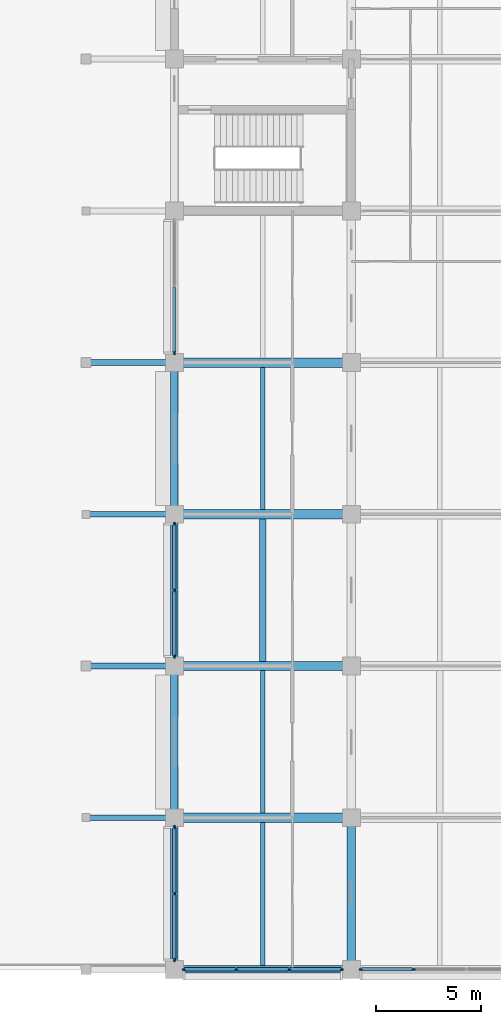
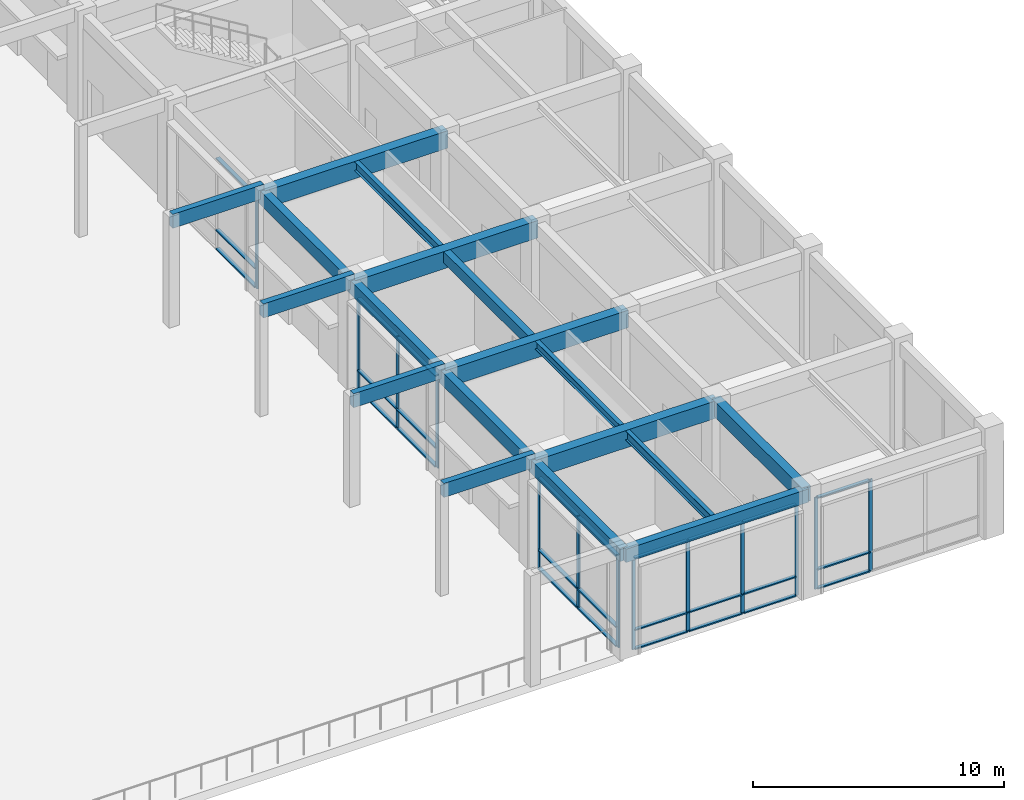
# One storey, part 24 of 73: 40 members, 18 beams, 5 elements without a shape of their own.
"""IFC4 building model written with IfcOpenShell, lengths in metres."""

from ifc_helpers import new_model, si_unit, direction, frame, origin, origin_2d, place, context, subcontext, project, spatial, rectangle, i_section, extrude, material, layer, layer_set, material_profile, profile_set, type_object, element, aggregate, save


model = new_model("IFC4")

# Units and contexts
model_context = context("Model", 3, precision=1e-05, world=origin(), true_north=direction((0.0, 1.0)))
body_context = subcontext(model_context, "Body", "Model", "MODEL_VIEW")
ifc_project = project(units=[si_unit("LENGTHUNIT", "METRE"), si_unit("AREAUNIT", "SQUARE_METRE"), si_unit("VOLUMEUNIT", "CUBIC_METRE"), si_unit("PLANEANGLEUNIT", "RADIAN"), si_unit("MASSUNIT", "GRAM", prefix="KILO")], contexts=[model_context])

# Site, building, storey
site_placement = place(None, origin())
site = spatial("IfcSite", under=ifc_project, at=site_placement, CompositionType="ELEMENT")
building_placement = place(site_placement, origin())
building = spatial("IfcBuilding", under=site, at=building_placement, Name="Chengyuan Square Courthouse", CompositionType="ELEMENT")
storey_placement = place(building_placement, origin())
storey = spatial("IfcBuildingStorey", under=building, at=storey_placement, Name="L01", CompositionType="ELEMENT", Elevation=0.0)

# Beams
ifc_material_1 = material(Name="Concrete C40", Category="concrete")
ifc_material_profile_1 = material_profile(ifc_material_1, rectangle(XDim=0.449951171875, YDim=0.85009765625, at=origin_2d()), Name="RC-BM-450x850")
ifc_profile_set_1 = profile_set([ifc_material_profile_1], Name="Concrete C40")
beam_type_1 = type_object("IfcBeamType", Name="BM-01", PredefinedType="USERDEFINED", material=ifc_profile_set_1)
for number, where, z_axis, x_axis, name in (
    (1, (151.199951171875, 7.199951171875, 4.695068359375), (1.0, 0.0, 0.0), (0.0, 1.0, 0.0), "Girder BM-L01-1647"),
    (2, (151.199951171875, 14.39990234375, 4.695068359375), (1.0, 0.0, 0.0), (0.0, 1.0, 0.0), "Girder BM-L01-1651"),
    (3, (151.199951171875, 21.60009765625, 4.695068359375), (1.0, 0.0, 0.0), (0.0, 1.0, 0.0), "Girder BM-L01-1655"),
    (4, (151.199951171875, 28.800048828125, 4.695068359375), (1.0, 0.0, 0.0), (0.0, 1.0, 0.0), "Girder BM-L01-1659"),
):
    element("IfcBeam", number, at=place(storey_placement, frame(where, z_axis=z_axis, x_axis=x_axis)), inside=storey, type_object=beam_type_1, Name=name, ObjectType="GIRDER", PredefinedType="USERDEFINED", context=body_context, shape_type="SweptSolid", body=[
        extrude(rectangle(XDim=0.449951171875, YDim=0.85009765625, at=origin_2d()), origin(), (0.0, 0.0, 1.0), 8.400146484375),
    ])
ifc_material_profile_2 = material_profile(ifc_material_1, rectangle(XDim=0.39990234375, YDim=0.75, at=origin_2d()), Name="RC-BM-400x750")
ifc_profile_set_2 = profile_set([ifc_material_profile_2], Name="Concrete C40")
beam_type_2 = type_object("IfcBeamType", Name="BM-02", PredefinedType="USERDEFINED", material=ifc_profile_set_2)
beam_1_placement = place(storey_placement, frame((159.60009765625, 0.0, 4.7451171875), z_axis=(0.0, 1.0, 0.0), x_axis=(-1.0, 0.0, 0.0)))
element("IfcBeam", 5, at=beam_1_placement, inside=storey, type_object=beam_type_2, Name="Girder BM-L01-1927", ObjectType="GIRDER", PredefinedType="USERDEFINED", context=body_context, shape_type="SweptSolid", body=[
    extrude(rectangle(XDim=0.39990234375, YDim=0.75, at=origin_2d()), origin(), (0.0, 0.0, 1.0), 7.199951171875),
])
ifc_material_profile_3 = material_profile(ifc_material_1, rectangle(XDim=0.35009765625, YDim=0.64990234375, at=origin_2d()), Name="RC-BM-350x650")
ifc_profile_set_3 = profile_set([ifc_material_profile_3], Name="Concrete C40")
beam_type_3 = type_object("IfcBeamType", Name="BM-03", PredefinedType="SPANDREL", material=ifc_profile_set_3)
beam_2_placement = place(storey_placement, frame((151.199951171875, 0.0, 4.794921875), z_axis=(1.0, 0.0, 0.0), x_axis=(0.0, 1.0, 0.0)))
element("IfcBeam", 6, at=beam_2_placement, inside=storey, type_object=beam_type_3, Name="Girder BM-L01-1643", PredefinedType="SPANDREL", context=body_context, shape_type="SweptSolid", body=[
    extrude(rectangle(XDim=0.35009765625, YDim=0.64990234375, at=origin_2d()), origin(), (0.0, 0.0, 1.0), 8.400146484375),
])
for number, where, z_axis, x_axis, name in (
    (7, (151.199951171875, 0.0, 4.794921875), (0.0, 1.0, 0.0), (-1.0, 0.0, 0.0), "Girder BM-L01-1912"),
    (8, (151.199951171875, 7.199951171875, 4.794921875), (0.0, 1.0, 0.0), (-1.0, 0.0, 0.0), "Girder BM-L01-1913"),
):
    element("IfcBeam", number, at=place(storey_placement, frame(where, z_axis=z_axis, x_axis=x_axis)), inside=storey, type_object=beam_type_3, Name=name, PredefinedType="SPANDREL", context=body_context, shape_type="SweptSolid", body=[
        extrude(rectangle(XDim=0.35009765625, YDim=0.64990234375, at=origin_2d()), origin(), (0.0, 0.0, 1.0), 7.199951171875),
    ])
beam_3_placement = place(storey_placement, frame((151.199951171875, 14.39990234375, 4.794921875), z_axis=(0.0, 1.0, 0.0), x_axis=(-1.0, 0.0, 0.0)))
element("IfcBeam", 9, at=beam_3_placement, inside=storey, type_object=beam_type_3, Name="Girder BM-L01-1914", PredefinedType="SPANDREL", context=body_context, shape_type="SweptSolid", body=[
    extrude(rectangle(XDim=0.35009765625, YDim=0.64990234375, at=origin_2d()), origin(), (0.0, 0.0, 1.0), 7.2001953125),
])
beam_4_placement = place(storey_placement, frame((151.199951171875, 21.60009765625, 4.794921875), z_axis=(0.0, 1.0, 0.0), x_axis=(-1.0, 0.0, 0.0)))
element("IfcBeam", 10, at=beam_4_placement, inside=storey, type_object=beam_type_3, Name="Girder BM-L01-1915", PredefinedType="SPANDREL", context=body_context, shape_type="SweptSolid", body=[
    extrude(rectangle(XDim=0.35009765625, YDim=0.64990234375, at=origin_2d()), origin(), (0.0, 0.0, 1.0), 7.199951171875),
])
ifc_material_profile_4 = material_profile(ifc_material_1, rectangle(XDim=0.300048828125, YDim=0.550048828125, at=origin_2d()), Name="RC-BM-300x550")
ifc_profile_set_4 = profile_set([ifc_material_profile_4], Name="Concrete C40")
beam_type_4 = type_object("IfcBeamType", Name="BM-04", PredefinedType="BEAM", material=ifc_profile_set_4)
beam_5_placement = place(storey_placement, frame((155.39990234375, 14.625, 4.844970703125), z_axis=(0.0, 1.0, 0.0), x_axis=(-1.0, 0.0, 0.0)))
element("IfcBeam", 11, at=beam_5_placement, inside=storey, type_object=beam_type_4, Name="Secondary Floor Beam SBM-L01-2044", PredefinedType="BEAM", context=body_context, shape_type="SweptSolid", body=[
    extrude(rectangle(XDim=0.300048828125, YDim=0.550048828125, at=origin_2d()), origin(), (0.0, 0.0, 1.0), 6.75),
])
ifc_material_2 = material(Name="Steel Q355B", Category="steel")
ifc_material_profile_5 = material_profile(ifc_material_2, i_section(OverallWidth=0.199951171875, OverallDepth=0.449951171875, WebThickness=0.009033203125, FlangeThickness=0.013916015625, at=origin_2d()), Name="HN 450x200x9x14")
ifc_profile_set_5 = profile_set([ifc_material_profile_5], Name="Steel Q355B")
beam_type_5 = type_object("IfcBeamType", Name="BM-06", PredefinedType="BEAM", material=ifc_profile_set_5)
beam_6_placement = place(storey_placement, frame((155.39990234375, 0.175048828125, 4.89501953125), z_axis=(0.0, 1.0, 0.0), x_axis=(-1.0, 0.0, 0.0)))
element("IfcBeam", 12, at=beam_6_placement, inside=storey, type_object=beam_type_5, Name="Secondary Floor Beam SBM-L01-2042", PredefinedType="BEAM", context=body_context, shape_type="SweptSolid", body=[
    extrude(i_section(OverallWidth=0.199951171875, OverallDepth=0.449951171875, WebThickness=0.009033203125, FlangeThickness=0.013916015625, at=origin_2d()), origin(), (0.0, 0.0, 1.0), 6.800048828125),
])
beam_7_placement = place(storey_placement, frame((155.39990234375, 21.824951171875, 4.89501953125), z_axis=(0.0, 1.0, 0.0), x_axis=(-1.0, 0.0, 0.0)))
element("IfcBeam", 13, at=beam_7_placement, inside=storey, type_object=beam_type_5, Name="Secondary Floor Beam SBM-L01-2045", PredefinedType="BEAM", context=body_context, shape_type="SweptSolid", body=[
    extrude(i_section(OverallWidth=0.199951171875, OverallDepth=0.449951171875, WebThickness=0.009033203125, FlangeThickness=0.013916015625, at=origin_2d()), origin(), (0.0, 0.0, 1.0), 6.75),
])
ifc_material_profile_6 = material_profile(ifc_material_2, i_section(OverallWidth=0.199951171875, OverallDepth=0.39990234375, WebThickness=0.008056640625, FlangeThickness=0.012939453125, at=origin_2d()), Name="HN 400x200x8x13")
ifc_profile_set_6 = profile_set([ifc_material_profile_6], Name="Steel Q355B")
beam_type_6 = type_object("IfcBeamType", Name="BM-07", PredefinedType="BEAM", material=ifc_profile_set_6)
beam_8_placement = place(storey_placement, frame((155.39990234375, 7.425048828125, 4.919921875), z_axis=(0.0, 1.0, 0.0), x_axis=(-1.0, 0.0, 0.0)))
element("IfcBeam", 14, at=beam_8_placement, inside=storey, type_object=beam_type_6, Name="Secondary Floor Beam SBM-L01-2043", PredefinedType="BEAM", context=body_context, shape_type="SweptSolid", body=[
    extrude(i_section(OverallWidth=0.199951171875, OverallDepth=0.39990234375, WebThickness=0.008056640625, FlangeThickness=0.012939453125, at=origin_2d()), origin(), (0.0, 0.0, 1.0), 6.75),
])

# Curtain wall, members
ifc_material_3 = material(Name="Unitised Aluminium and Triple Low-E Glass", Category="aluminium")
ifc_layer_1 = layer(ifc_material_3, 0.159912109375)
ifc_layer_set_1 = layer_set([ifc_layer_1], Name="Unitised Aluminium and Triple Low-E Glass")
curtain_wall_type_1 = type_object("IfcCurtainWallType", Name="CW-01", PredefinedType="USERDEFINED", material=ifc_layer_set_1)
curtain_wall_1_placement = place(storey_placement, origin())
curtain_wall_1 = element("IfcCurtainWall", 15, at=curtain_wall_1_placement, inside=storey, type_object=curtain_wall_type_1, Name="Unitised Curtain Wall CW-L01-028", ObjectType="UNITISED CURTAIN WALL", PredefinedType="USERDEFINED")
ifc_material_4 = material(Name="Aluminium 6063-T6 Frame", Category="aluminium")
ifc_material_profile_7 = material_profile(ifc_material_4, rectangle(XDim=0.06005859375, YDim=0.159912109375, at=origin_2d()), Name="CW-MUL-60x160")
ifc_profile_set_7 = profile_set([ifc_material_profile_7], Name="Aluminium 6063-T6 Frame")
member_type_1 = type_object("IfcMemberType", Name="CWM-01", PredefinedType="MULLION", material=ifc_profile_set_7)
member_1_placement = place(storey_placement, frame((151.655029296875, 0.0, 0.0), z_axis=(0.0, 0.0, 1.0), x_axis=(0.0, 1.0, 0.0)))
member_1 = element("IfcMember", 16, at=member_1_placement, type_object=member_type_1, Name="CW-01 mullion 1", PredefinedType="MULLION", context=body_context, shape_type="SweptSolid", body=[
    extrude(rectangle(XDim=0.06005859375, YDim=0.159912109375, at=origin_2d()), origin(), (0.0, 0.0, 1.0), 4.469970703125),
])
member_2_placement = place(storey_placement, frame((154.1416015625, 0.0, 0.0), z_axis=(0.0, 0.0, 1.0), x_axis=(0.0, 1.0, 0.0)))
member_2 = element("IfcMember", 17, at=member_2_placement, type_object=member_type_1, Name="CW-01 mullion 2", PredefinedType="MULLION", context=body_context, shape_type="SweptSolid", body=[
    extrude(rectangle(XDim=0.06005859375, YDim=0.159912109375, at=origin_2d()), origin(), (0.0, 0.0, 1.0), 4.469970703125),
])
member_3_placement = place(storey_placement, frame((156.658447265625, 0.0, 0.0), z_axis=(0.0, 0.0, 1.0), x_axis=(0.0, 1.0, 0.0)))
member_3 = element("IfcMember", 18, at=member_3_placement, type_object=member_type_1, Name="CW-01 mullion 3", PredefinedType="MULLION", context=body_context, shape_type="SweptSolid", body=[
    extrude(rectangle(XDim=0.06005859375, YDim=0.159912109375, at=origin_2d()), origin(), (0.0, 0.0, 1.0), 4.469970703125),
])
member_4_placement = place(storey_placement, frame((159.14501953125, 0.0, 0.0), z_axis=(0.0, 0.0, 1.0), x_axis=(0.0, 1.0, 0.0)))
member_4 = element("IfcMember", 19, at=member_4_placement, type_object=member_type_1, Name="CW-01 mullion 4", PredefinedType="MULLION", context=body_context, shape_type="SweptSolid", body=[
    extrude(rectangle(XDim=0.06005859375, YDim=0.159912109375, at=origin_2d()), origin(), (0.0, 0.0, 1.0), 4.469970703125),
])

curtain_wall_2_placement = place(storey_placement, origin())
curtain_wall_2 = element("IfcCurtainWall", 20, at=curtain_wall_2_placement, inside=storey, type_object=curtain_wall_type_1, Name="Unitised Curtain Wall CW-L01-035", ObjectType="UNITISED CURTAIN WALL", PredefinedType="USERDEFINED")
member_5_placement = place(storey_placement, frame((160.054931640625, 0.0, 0.0), z_axis=(0.0, 0.0, 1.0), x_axis=(0.0, 1.0, 0.0)))
member_5 = element("IfcMember", 21, at=member_5_placement, type_object=member_type_1, Name="CW-01 mullion 1", PredefinedType="MULLION", context=body_context, shape_type="SweptSolid", body=[
    extrude(rectangle(XDim=0.06005859375, YDim=0.159912109375, at=origin_2d()), origin(), (0.0, 0.0, 1.0), 4.469970703125),
])
member_6_placement = place(storey_placement, frame((162.541748046875, 0.0, 0.0), z_axis=(0.0, 0.0, 1.0), x_axis=(0.0, 1.0, 0.0)))
member_6 = element("IfcMember", 22, at=member_6_placement, type_object=member_type_1, Name="CW-01 mullion 2", PredefinedType="MULLION", context=body_context, shape_type="SweptSolid", body=[
    extrude(rectangle(XDim=0.06005859375, YDim=0.159912109375, at=origin_2d()), origin(), (0.0, 0.0, 1.0), 4.469970703125),
])

ifc_layer_2 = layer(ifc_material_3, 0.179931640625)
ifc_layer_set_2 = layer_set([ifc_layer_2], Name="Unitised Aluminium and Triple Low-E Glass")
curtain_wall_type_2 = type_object("IfcCurtainWallType", Name="CW-14", PredefinedType="USERDEFINED", material=ifc_layer_set_2)
curtain_wall_3_placement = place(storey_placement, origin())
curtain_wall_3 = element("IfcCurtainWall", 23, at=curtain_wall_3_placement, inside=storey, type_object=curtain_wall_type_2, Name="Unitised Curtain Wall CW-L01-029", ObjectType="UNITISED CURTAIN WALL", PredefinedType="USERDEFINED")
ifc_material_profile_8 = material_profile(ifc_material_4, rectangle(XDim=0.06494140625, YDim=0.179931640625, at=origin_2d()), Name="CW-MUL-65x180")
ifc_profile_set_8 = profile_set([ifc_material_profile_8], Name="Aluminium 6063-T6 Frame")
member_type_2 = type_object("IfcMemberType", Name="CWM-02", PredefinedType="MULLION", material=ifc_profile_set_8)
member_7_placement = place(storey_placement, frame((151.199951171875, 0.45751953125, 0.0), z_axis=(0.0, 0.0, 1.0), x_axis=(-1.0, 0.0, 0.0)))
member_7 = element("IfcMember", 24, at=member_7_placement, type_object=member_type_2, Name="CW-14 mullion 1", PredefinedType="MULLION", context=body_context, shape_type="SweptSolid", body=[
    extrude(rectangle(XDim=0.06494140625, YDim=0.179931640625, at=origin_2d()), origin(), (0.0, 0.0, 1.0), 4.469970703125),
])
member_8_placement = place(storey_placement, frame((151.199951171875, 3.60009765625, 0.0), z_axis=(0.0, 0.0, 1.0), x_axis=(-1.0, 0.0, 0.0)))
member_8 = element("IfcMember", 25, at=member_8_placement, type_object=member_type_2, Name="CW-14 mullion 2", PredefinedType="MULLION", context=body_context, shape_type="SweptSolid", body=[
    extrude(rectangle(XDim=0.06494140625, YDim=0.179931640625, at=origin_2d()), origin(), (0.0, 0.0, 1.0), 4.469970703125),
])
member_9_placement = place(storey_placement, frame((151.199951171875, 6.742431640625, 0.0), z_axis=(0.0, 0.0, 1.0), x_axis=(-1.0, 0.0, 0.0)))
member_9 = element("IfcMember", 26, at=member_9_placement, type_object=member_type_2, Name="CW-14 mullion 3", PredefinedType="MULLION", context=body_context, shape_type="SweptSolid", body=[
    extrude(rectangle(XDim=0.06494140625, YDim=0.179931640625, at=origin_2d()), origin(), (0.0, 0.0, 1.0), 4.469970703125),
])

curtain_wall_4_placement = place(storey_placement, origin())
curtain_wall_4 = element("IfcCurtainWall", 27, at=curtain_wall_4_placement, inside=storey, type_object=curtain_wall_type_2, Name="Unitised Curtain Wall CW-L01-030", ObjectType="UNITISED CURTAIN WALL", PredefinedType="USERDEFINED")
member_10_placement = place(storey_placement, frame((151.199951171875, 14.857421875, 0.0), z_axis=(0.0, 0.0, 1.0), x_axis=(-1.0, 0.0, 0.0)))
member_10 = element("IfcMember", 28, at=member_10_placement, type_object=member_type_2, Name="CW-14 mullion 1", PredefinedType="MULLION", context=body_context, shape_type="SweptSolid", body=[
    extrude(rectangle(XDim=0.06494140625, YDim=0.179931640625, at=origin_2d()), origin(), (0.0, 0.0, 1.0), 4.469970703125),
])
member_11_placement = place(storey_placement, frame((151.199951171875, 18.0, 0.0), z_axis=(0.0, 0.0, 1.0), x_axis=(-1.0, 0.0, 0.0)))
member_11 = element("IfcMember", 29, at=member_11_placement, type_object=member_type_2, Name="CW-14 mullion 2", PredefinedType="MULLION", context=body_context, shape_type="SweptSolid", body=[
    extrude(rectangle(XDim=0.06494140625, YDim=0.179931640625, at=origin_2d()), origin(), (0.0, 0.0, 1.0), 4.469970703125),
])
member_12_placement = place(storey_placement, frame((151.199951171875, 21.142578125, 0.0), z_axis=(0.0, 0.0, 1.0), x_axis=(-1.0, 0.0, 0.0)))
member_12 = element("IfcMember", 30, at=member_12_placement, type_object=member_type_2, Name="CW-14 mullion 3", PredefinedType="MULLION", context=body_context, shape_type="SweptSolid", body=[
    extrude(rectangle(XDim=0.06494140625, YDim=0.179931640625, at=origin_2d()), origin(), (0.0, 0.0, 1.0), 4.469970703125),
])

# Curtain wall, member
curtain_wall_5_placement = place(storey_placement, origin())
curtain_wall_5 = element("IfcCurtainWall", 31, at=curtain_wall_5_placement, inside=storey, type_object=curtain_wall_type_2, Name="Unitised Curtain Wall CW-L01-031", ObjectType="UNITISED CURTAIN WALL", PredefinedType="USERDEFINED")
member_13_placement = place(storey_placement, frame((151.199951171875, 29.257568359375, 0.0), z_axis=(0.0, 0.0, 1.0), x_axis=(-1.0, 0.0, 0.0)))
member_13 = element("IfcMember", 32, at=member_13_placement, type_object=member_type_2, Name="CW-14 mullion 1", PredefinedType="MULLION", context=body_context, shape_type="SweptSolid", body=[
    extrude(rectangle(XDim=0.06494140625, YDim=0.179931640625, at=origin_2d()), origin(), (0.0, 0.0, 1.0), 4.469970703125),
])

# Member
ifc_material_profile_9 = material_profile(ifc_material_4, rectangle(XDim=0.159912109375, YDim=0.06005859375, at=origin_2d()), Name="CW-TRN-60x120")
ifc_profile_set_9 = profile_set([ifc_material_profile_9], Name="Aluminium 6063-T6 Frame")
member_type_3 = type_object("IfcMemberType", Name="CWT-01", PredefinedType="USERDEFINED", material=ifc_profile_set_9)
member_14_placement = place(storey_placement, frame((151.68505859375, 0.0, 0.030029296875), z_axis=(1.0, 0.0, 0.0), x_axis=(0.0, 1.0, 0.0)))
member_14 = element("IfcMember", 33, at=member_14_placement, type_object=member_type_3, Name="CW-01 transom 1.1", ObjectType="TRANSOM", PredefinedType="USERDEFINED", context=body_context, shape_type="SweptSolid", body=[
    extrude(rectangle(XDim=0.159912109375, YDim=0.06005859375, at=origin_2d()), origin(), (0.0, 0.0, 1.0), 2.426513671875),
])

member_15_placement = place(storey_placement, frame((151.68505859375, 0.0, 0.949951171875), z_axis=(1.0, 0.0, 0.0), x_axis=(0.0, 1.0, 0.0)))
member_15 = element("IfcMember", 34, at=member_15_placement, type_object=member_type_3, Name="CW-01 transom 1.2", ObjectType="TRANSOM", PredefinedType="USERDEFINED", context=body_context, shape_type="SweptSolid", body=[
    extrude(rectangle(XDim=0.159912109375, YDim=0.06005859375, at=origin_2d()), origin(), (0.0, 0.0, 1.0), 2.426513671875),
])

member_16_placement = place(storey_placement, frame((151.68505859375, 0.0, 4.43994140625), z_axis=(1.0, 0.0, 0.0), x_axis=(0.0, 1.0, 0.0)))
member_16 = element("IfcMember", 35, at=member_16_placement, type_object=member_type_3, Name="CW-01 transom 1.3", ObjectType="TRANSOM", PredefinedType="USERDEFINED", context=body_context, shape_type="SweptSolid", body=[
    extrude(rectangle(XDim=0.159912109375, YDim=0.06005859375, at=origin_2d()), origin(), (0.0, 0.0, 1.0), 2.426513671875),
])

member_17_placement = place(storey_placement, frame((154.171630859375, 0.0, 0.030029296875), z_axis=(1.0, 0.0, 0.0), x_axis=(0.0, 1.0, 0.0)))
member_17 = element("IfcMember", 36, at=member_17_placement, type_object=member_type_3, Name="CW-01 transom 2.1", ObjectType="TRANSOM", PredefinedType="USERDEFINED", context=body_context, shape_type="SweptSolid", body=[
    extrude(rectangle(XDim=0.159912109375, YDim=0.06005859375, at=origin_2d()), origin(), (0.0, 0.0, 1.0), 2.456787109375),
])

member_18_placement = place(storey_placement, frame((154.171630859375, 0.0, 0.949951171875), z_axis=(1.0, 0.0, 0.0), x_axis=(0.0, 1.0, 0.0)))
member_18 = element("IfcMember", 37, at=member_18_placement, type_object=member_type_3, Name="CW-01 transom 2.2", ObjectType="TRANSOM", PredefinedType="USERDEFINED", context=body_context, shape_type="SweptSolid", body=[
    extrude(rectangle(XDim=0.159912109375, YDim=0.06005859375, at=origin_2d()), origin(), (0.0, 0.0, 1.0), 2.456787109375),
])

member_19_placement = place(storey_placement, frame((154.171630859375, 0.0, 4.43994140625), z_axis=(1.0, 0.0, 0.0), x_axis=(0.0, 1.0, 0.0)))
member_19 = element("IfcMember", 38, at=member_19_placement, type_object=member_type_3, Name="CW-01 transom 2.3", ObjectType="TRANSOM", PredefinedType="USERDEFINED", context=body_context, shape_type="SweptSolid", body=[
    extrude(rectangle(XDim=0.159912109375, YDim=0.06005859375, at=origin_2d()), origin(), (0.0, 0.0, 1.0), 2.456787109375),
])

member_20_placement = place(storey_placement, frame((156.688232421875, 0.0, 0.030029296875), z_axis=(1.0, 0.0, 0.0), x_axis=(0.0, 1.0, 0.0)))
member_20 = element("IfcMember", 39, at=member_20_placement, type_object=member_type_3, Name="CW-01 transom 3.1", ObjectType="TRANSOM", PredefinedType="USERDEFINED", context=body_context, shape_type="SweptSolid", body=[
    extrude(rectangle(XDim=0.159912109375, YDim=0.06005859375, at=origin_2d()), origin(), (0.0, 0.0, 1.0), 2.4267578125),
])

member_21_placement = place(storey_placement, frame((156.688232421875, 0.0, 0.949951171875), z_axis=(1.0, 0.0, 0.0), x_axis=(0.0, 1.0, 0.0)))
member_21 = element("IfcMember", 40, at=member_21_placement, type_object=member_type_3, Name="CW-01 transom 3.2", ObjectType="TRANSOM", PredefinedType="USERDEFINED", context=body_context, shape_type="SweptSolid", body=[
    extrude(rectangle(XDim=0.159912109375, YDim=0.06005859375, at=origin_2d()), origin(), (0.0, 0.0, 1.0), 2.4267578125),
])

member_22_placement = place(storey_placement, frame((156.688232421875, 0.0, 4.43994140625), z_axis=(1.0, 0.0, 0.0), x_axis=(0.0, 1.0, 0.0)))
member_22 = element("IfcMember", 41, at=member_22_placement, type_object=member_type_3, Name="CW-01 transom 3.3", ObjectType="TRANSOM", PredefinedType="USERDEFINED", context=body_context, shape_type="SweptSolid", body=[
    extrude(rectangle(XDim=0.159912109375, YDim=0.06005859375, at=origin_2d()), origin(), (0.0, 0.0, 1.0), 2.4267578125),
])

aggregate(curtain_wall_1, [member_1, member_2, member_3, member_4, member_14, member_15, member_16, member_17, member_18, member_19, member_20, member_21, member_22])

member_23_placement = place(storey_placement, frame((160.0849609375, 0.0, 0.030029296875), z_axis=(1.0, 0.0, 0.0), x_axis=(0.0, 1.0, 0.0)))
member_23 = element("IfcMember", 42, at=member_23_placement, type_object=member_type_3, Name="CW-01 transom 1.1", ObjectType="TRANSOM", PredefinedType="USERDEFINED", context=body_context, shape_type="SweptSolid", body=[
    extrude(rectangle(XDim=0.159912109375, YDim=0.06005859375, at=origin_2d()), origin(), (0.0, 0.0, 1.0), 2.4267578125),
])

member_24_placement = place(storey_placement, frame((160.0849609375, 0.0, 0.949951171875), z_axis=(1.0, 0.0, 0.0), x_axis=(0.0, 1.0, 0.0)))
member_24 = element("IfcMember", 43, at=member_24_placement, type_object=member_type_3, Name="CW-01 transom 1.2", ObjectType="TRANSOM", PredefinedType="USERDEFINED", context=body_context, shape_type="SweptSolid", body=[
    extrude(rectangle(XDim=0.159912109375, YDim=0.06005859375, at=origin_2d()), origin(), (0.0, 0.0, 1.0), 2.4267578125),
])

member_25_placement = place(storey_placement, frame((160.0849609375, 0.0, 4.43994140625), z_axis=(1.0, 0.0, 0.0), x_axis=(0.0, 1.0, 0.0)))
member_25 = element("IfcMember", 44, at=member_25_placement, type_object=member_type_3, Name="CW-01 transom 1.3", ObjectType="TRANSOM", PredefinedType="USERDEFINED", context=body_context, shape_type="SweptSolid", body=[
    extrude(rectangle(XDim=0.159912109375, YDim=0.06005859375, at=origin_2d()), origin(), (0.0, 0.0, 1.0), 2.4267578125),
])

aggregate(curtain_wall_2, [member_5, member_6, member_23, member_24, member_25])

ifc_material_profile_10 = material_profile(ifc_material_4, rectangle(XDim=0.179931640625, YDim=0.06494140625, at=origin_2d()), Name="CW-TRN-65x140")
ifc_profile_set_10 = profile_set([ifc_material_profile_10], Name="Aluminium 6063-T6 Frame")
member_type_4 = type_object("IfcMemberType", Name="CWT-02", PredefinedType="USERDEFINED", material=ifc_profile_set_10)
member_26_placement = place(storey_placement, frame((151.199951171875, 0.489990234375, 0.032470703125), z_axis=(0.0, 1.0, 0.0), x_axis=(-1.0, 0.0, 0.0)))
member_26 = element("IfcMember", 45, at=member_26_placement, type_object=member_type_4, Name="CW-14 transom 1.1", ObjectType="TRANSOM", PredefinedType="USERDEFINED", context=body_context, shape_type="SweptSolid", body=[
    extrude(rectangle(XDim=0.179931640625, YDim=0.06494140625, at=origin_2d()), origin(), (0.0, 0.0, 1.0), 3.077392578125),
])

member_27_placement = place(storey_placement, frame((151.199951171875, 0.489990234375, 0.949951171875), z_axis=(0.0, 1.0, 0.0), x_axis=(-1.0, 0.0, 0.0)))
member_27 = element("IfcMember", 46, at=member_27_placement, type_object=member_type_4, Name="CW-14 transom 1.2", ObjectType="TRANSOM", PredefinedType="USERDEFINED", context=body_context, shape_type="SweptSolid", body=[
    extrude(rectangle(XDim=0.179931640625, YDim=0.06494140625, at=origin_2d()), origin(), (0.0, 0.0, 1.0), 3.077392578125),
])

member_28_placement = place(storey_placement, frame((151.199951171875, 0.489990234375, 4.4375), z_axis=(0.0, 1.0, 0.0), x_axis=(-1.0, 0.0, 0.0)))
member_28 = element("IfcMember", 47, at=member_28_placement, type_object=member_type_4, Name="CW-14 transom 1.3", ObjectType="TRANSOM", PredefinedType="USERDEFINED", context=body_context, shape_type="SweptSolid", body=[
    extrude(rectangle(XDim=0.179931640625, YDim=0.06494140625, at=origin_2d()), origin(), (0.0, 0.0, 1.0), 3.077392578125),
])

member_29_placement = place(storey_placement, frame((151.199951171875, 3.632568359375, 0.032470703125), z_axis=(0.0, 1.0, 0.0), x_axis=(-1.0, 0.0, 0.0)))
member_29 = element("IfcMember", 48, at=member_29_placement, type_object=member_type_4, Name="CW-14 transom 2.1", ObjectType="TRANSOM", PredefinedType="USERDEFINED", context=body_context, shape_type="SweptSolid", body=[
    extrude(rectangle(XDim=0.179931640625, YDim=0.06494140625, at=origin_2d()), origin(), (0.0, 0.0, 1.0), 3.077392578125),
])

member_30_placement = place(storey_placement, frame((151.199951171875, 3.632568359375, 0.949951171875), z_axis=(0.0, 1.0, 0.0), x_axis=(-1.0, 0.0, 0.0)))
member_30 = element("IfcMember", 49, at=member_30_placement, type_object=member_type_4, Name="CW-14 transom 2.2", ObjectType="TRANSOM", PredefinedType="USERDEFINED", context=body_context, shape_type="SweptSolid", body=[
    extrude(rectangle(XDim=0.179931640625, YDim=0.06494140625, at=origin_2d()), origin(), (0.0, 0.0, 1.0), 3.077392578125),
])

member_31_placement = place(storey_placement, frame((151.199951171875, 3.632568359375, 4.4375), z_axis=(0.0, 1.0, 0.0), x_axis=(-1.0, 0.0, 0.0)))
member_31 = element("IfcMember", 50, at=member_31_placement, type_object=member_type_4, Name="CW-14 transom 2.3", ObjectType="TRANSOM", PredefinedType="USERDEFINED", context=body_context, shape_type="SweptSolid", body=[
    extrude(rectangle(XDim=0.179931640625, YDim=0.06494140625, at=origin_2d()), origin(), (0.0, 0.0, 1.0), 3.077392578125),
])

aggregate(curtain_wall_3, [member_7, member_8, member_9, member_26, member_27, member_28, member_29, member_30, member_31])

member_32_placement = place(storey_placement, frame((151.199951171875, 14.889892578125, 0.032470703125), z_axis=(0.0, 1.0, 0.0), x_axis=(-1.0, 0.0, 0.0)))
member_32 = element("IfcMember", 51, at=member_32_placement, type_object=member_type_4, Name="CW-14 transom 1.1", ObjectType="TRANSOM", PredefinedType="USERDEFINED", context=body_context, shape_type="SweptSolid", body=[
    extrude(rectangle(XDim=0.179931640625, YDim=0.06494140625, at=origin_2d()), origin(), (0.0, 0.0, 1.0), 3.07763671875),
])

member_33_placement = place(storey_placement, frame((151.199951171875, 14.889892578125, 0.949951171875), z_axis=(0.0, 1.0, 0.0), x_axis=(-1.0, 0.0, 0.0)))
member_33 = element("IfcMember", 52, at=member_33_placement, type_object=member_type_4, Name="CW-14 transom 1.2", ObjectType="TRANSOM", PredefinedType="USERDEFINED", context=body_context, shape_type="SweptSolid", body=[
    extrude(rectangle(XDim=0.179931640625, YDim=0.06494140625, at=origin_2d()), origin(), (0.0, 0.0, 1.0), 3.07763671875),
])

member_34_placement = place(storey_placement, frame((151.199951171875, 14.889892578125, 4.4375), z_axis=(0.0, 1.0, 0.0), x_axis=(-1.0, 0.0, 0.0)))
member_34 = element("IfcMember", 53, at=member_34_placement, type_object=member_type_4, Name="CW-14 transom 1.3", ObjectType="TRANSOM", PredefinedType="USERDEFINED", context=body_context, shape_type="SweptSolid", body=[
    extrude(rectangle(XDim=0.179931640625, YDim=0.06494140625, at=origin_2d()), origin(), (0.0, 0.0, 1.0), 3.07763671875),
])

member_35_placement = place(storey_placement, frame((151.199951171875, 18.032470703125, 0.032470703125), z_axis=(0.0, 1.0, 0.0), x_axis=(-1.0, 0.0, 0.0)))
member_35 = element("IfcMember", 54, at=member_35_placement, type_object=member_type_4, Name="CW-14 transom 2.1", ObjectType="TRANSOM", PredefinedType="USERDEFINED", context=body_context, shape_type="SweptSolid", body=[
    extrude(rectangle(XDim=0.179931640625, YDim=0.06494140625, at=origin_2d()), origin(), (0.0, 0.0, 1.0), 3.07763671875),
])

member_36_placement = place(storey_placement, frame((151.199951171875, 18.032470703125, 0.949951171875), z_axis=(0.0, 1.0, 0.0), x_axis=(-1.0, 0.0, 0.0)))
member_36 = element("IfcMember", 55, at=member_36_placement, type_object=member_type_4, Name="CW-14 transom 2.2", ObjectType="TRANSOM", PredefinedType="USERDEFINED", context=body_context, shape_type="SweptSolid", body=[
    extrude(rectangle(XDim=0.179931640625, YDim=0.06494140625, at=origin_2d()), origin(), (0.0, 0.0, 1.0), 3.07763671875),
])

member_37_placement = place(storey_placement, frame((151.199951171875, 18.032470703125, 4.4375), z_axis=(0.0, 1.0, 0.0), x_axis=(-1.0, 0.0, 0.0)))
member_37 = element("IfcMember", 56, at=member_37_placement, type_object=member_type_4, Name="CW-14 transom 2.3", ObjectType="TRANSOM", PredefinedType="USERDEFINED", context=body_context, shape_type="SweptSolid", body=[
    extrude(rectangle(XDim=0.179931640625, YDim=0.06494140625, at=origin_2d()), origin(), (0.0, 0.0, 1.0), 3.07763671875),
])

aggregate(curtain_wall_4, [member_10, member_11, member_12, member_32, member_33, member_34, member_35, member_36, member_37])

member_38_placement = place(storey_placement, frame((151.199951171875, 29.2900390625, 0.032470703125), z_axis=(0.0, 1.0, 0.0), x_axis=(-1.0, 0.0, 0.0)))
member_38 = element("IfcMember", 57, at=member_38_placement, type_object=member_type_4, Name="CW-14 transom 1.1", ObjectType="TRANSOM", PredefinedType="USERDEFINED", context=body_context, shape_type="SweptSolid", body=[
    extrude(rectangle(XDim=0.179931640625, YDim=0.06494140625, at=origin_2d()), origin(), (0.0, 0.0, 1.0), 3.077392578125),
])

member_39_placement = place(storey_placement, frame((151.199951171875, 29.2900390625, 0.949951171875), z_axis=(0.0, 1.0, 0.0), x_axis=(-1.0, 0.0, 0.0)))
member_39 = element("IfcMember", 58, at=member_39_placement, type_object=member_type_4, Name="CW-14 transom 1.2", ObjectType="TRANSOM", PredefinedType="USERDEFINED", context=body_context, shape_type="SweptSolid", body=[
    extrude(rectangle(XDim=0.179931640625, YDim=0.06494140625, at=origin_2d()), origin(), (0.0, 0.0, 1.0), 3.077392578125),
])

member_40_placement = place(storey_placement, frame((151.199951171875, 29.2900390625, 4.4375), z_axis=(0.0, 1.0, 0.0), x_axis=(-1.0, 0.0, 0.0)))
member_40 = element("IfcMember", 59, at=member_40_placement, type_object=member_type_4, Name="CW-14 transom 1.3", ObjectType="TRANSOM", PredefinedType="USERDEFINED", context=body_context, shape_type="SweptSolid", body=[
    extrude(rectangle(XDim=0.179931640625, YDim=0.06494140625, at=origin_2d()), origin(), (0.0, 0.0, 1.0), 3.077392578125),
])

aggregate(curtain_wall_5, [member_13, member_38, member_39, member_40])

# Beams
ifc_material_5 = material(Name="Glulam TCt28", Category="wood")
ifc_material_profile_11 = material_profile(ifc_material_5, rectangle(XDim=0.280029296875, YDim=0.679931640625, at=origin_2d()), Name="GL-BM-280x680")
ifc_profile_set_11 = profile_set([ifc_material_profile_11], Name="Glulam TCt28")
beam_type_7 = type_object("IfcBeamType", Name="GLB-01", PredefinedType="BEAM", material=ifc_profile_set_11)
for number, where, z_axis, x_axis, name in (
    (60, (151.199951171875, 7.199951171875, 5.06005859375), (-1.0, 0.0, 0.0), (0.0, -1.0, 0.0), "Glulam Colonnade Portal Beam GLB-L01-004"),
    (61, (151.199951171875, 14.39990234375, 5.06005859375), (-1.0, 0.0, 0.0), (0.0, -1.0, 0.0), "Glulam Colonnade Portal Beam GLB-L01-006"),
    (62, (151.199951171875, 21.60009765625, 5.06005859375), (-1.0, 0.0, 0.0), (0.0, -1.0, 0.0), "Glulam Colonnade Portal Beam GLB-L01-008"),
    (63, (151.199951171875, 28.800048828125, 5.06005859375), (-1.0, 0.0, 0.0), (0.0, -1.0, 0.0), "Glulam Colonnade Portal Beam GLB-L01-010"),
):
    element("IfcBeam", number, at=place(storey_placement, frame(where, z_axis=z_axis, x_axis=x_axis)), inside=storey, type_object=beam_type_7, Name=name, PredefinedType="BEAM", context=body_context, shape_type="SweptSolid", body=[
        extrude(rectangle(XDim=0.280029296875, YDim=0.679931640625, at=origin_2d()), origin(), (0.0, 0.0, 1.0), 4.199951171875),
    ])

save(model, "model.ifc")
